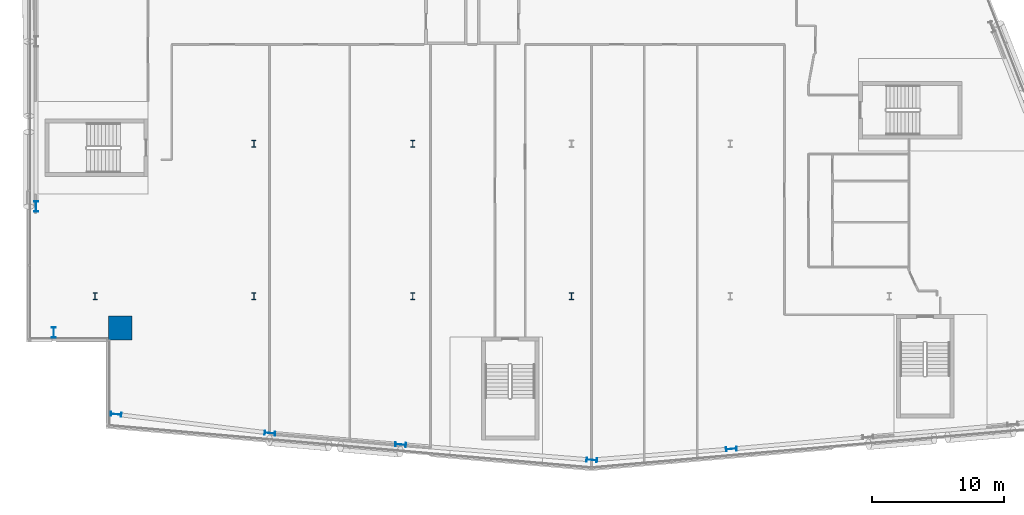
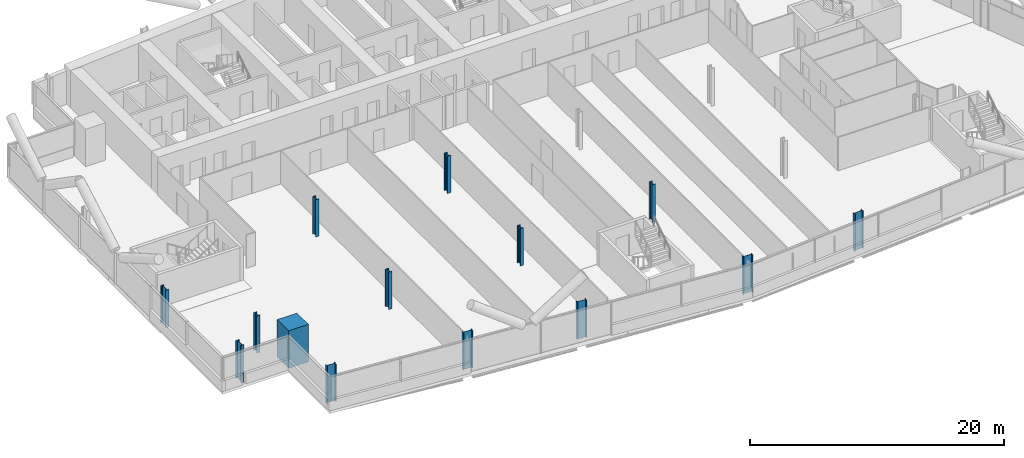
# One storey, part 1 of 26: 14 columns.
"""IFC4 building model written with IfcOpenShell, lengths in metres."""

from ifc_helpers import new_model, si_unit, direction, frame, origin, origin_2d, place, context, subcontext, project, spatial, rectangle, i_section, extrude, material, material_profile, profile_set, type_object, element, save


model = new_model("IFC4")

# Units and contexts
model_context = context("Model", 3, precision=1e-05, world=origin(), true_north=direction((0.0, 1.0)))
body_context = subcontext(model_context, "Body", "Model", "MODEL_VIEW")
ifc_project = project(units=[si_unit("LENGTHUNIT", "METRE"), si_unit("AREAUNIT", "SQUARE_METRE"), si_unit("VOLUMEUNIT", "CUBIC_METRE"), si_unit("PLANEANGLEUNIT", "RADIAN"), si_unit("MASSUNIT", "GRAM", prefix="KILO")], contexts=[model_context])

# Site, building, storey
site_placement = place(None, origin())
site = spatial("IfcSite", under=ifc_project, at=site_placement, CompositionType="ELEMENT")
building_placement = place(site_placement, origin())
building = spatial("IfcBuilding", under=site, at=building_placement, Name="Wharfspan Tower", CompositionType="ELEMENT")
storey_placement = place(building_placement, frame((0.0, 0.0, 125.5)))
storey = spatial("IfcBuildingStorey", under=building, at=storey_placement, Name="L29", CompositionType="ELEMENT", Elevation=125.5)

# Columns
ifc_material_1 = material(Name="Steel S355J2", Category="steel")
ifc_material_profile_1 = material_profile(ifc_material_1, i_section(OverallWidth=0.305908, OverallDepth=0.523926, WebThickness=0.020996, FlangeThickness=0.040039, FilletRadius=0.0271, at=origin_2d()))
ifc_profile_set_1 = profile_set([ifc_material_profile_1], Name="Steel S355J2")
column_type_1 = type_object("IfcColumnType", Name="Column HEM 500", PredefinedType="COLUMN", material=ifc_profile_set_1)
for number, where, z_axis, x_axis, name in (
    (1, (12.0, 11.5, 0.0), (0.0, 0.0, 1.0), (1.0, 0.0, 0.0), "Interior column I.1.1 L29"),
    (2, (24.0, 11.5, 0.0), (0.0, 0.0, 1.0), (1.0, 0.0, 0.0), "Interior column I.1.2 L29"),
    (3, (36.0, 11.5, 0.0), (0.0, 0.0, 1.0), (1.0, 0.0, 0.0), "Interior column I.1.3 L29"),
    (4, (48.0, 11.5, 0.0), (0.0, 0.0, 1.0), (1.0, 0.0, 0.0), "Interior column I.1.4 L29"),
    (5, (24.0, 23.0, 0.0), (0.0, 0.0, 1.0), (1.0, 0.0, 0.0), "Interior column I.2.1 L29"),
    (6, (36.0, 23.0, 0.0), (0.0, 0.0, 1.0), (1.0, 0.0, 0.0), "Interior column I.2.2 L29"),
):
    element("IfcColumn", number, at=place(storey_placement, frame(where, z_axis=z_axis, x_axis=x_axis)), inside=storey, type_object=column_type_1, Name=name, PredefinedType="COLUMN", context=body_context, shape_type="SweptSolid", body=[
        extrude(i_section(OverallWidth=0.305908, OverallDepth=0.523926, WebThickness=0.020996, FlangeThickness=0.040039, FilletRadius=0.0271, at=origin_2d()), origin(), (0.0, 0.0, 1.0), 3.600098),
    ])
ifc_material_profile_2 = material_profile(ifc_material_1, i_section(OverallWidth=0.302979, OverallDepth=0.813965, WebThickness=0.020996, FlangeThickness=0.040039, FilletRadius=0.030029, at=origin_2d()))
ifc_profile_set_2 = profile_set([ifc_material_profile_2], Name="Steel S355J2")
column_type_2 = type_object("IfcColumnType", Name="Column HEM 800", PredefinedType="COLUMN", material=ifc_profile_set_2)
for number, where, z_axis, x_axis, name in (
    (7, (13.590576, 2.569336, 0.0), (0.0, 0.0, 1.0), (-0.087156, -0.996198, 0.0), "Perimeter column PS1.1 L29"),
    (8, (25.213623, 1.148682, 0.0), (0.0, 0.0, 1.0), (-0.087156, -0.996198, 0.0), "Perimeter column PS1.2 L29"),
    (9, (35.089111, 0.284668, 0.0), (0.0, 0.0, 1.0), (-0.087156, -0.996198, 0.0), "Perimeter column PS1.3 L29"),
    (10, (49.53125, -0.881592, 0.0), (0.0, 0.0, 1.0), (-0.087156, -0.996198, 0.0), "Perimeter column PS1.4 L29"),
    (11, (60.077881, -0.050781, 0.0), (0.0, 0.0, 1.0), (0.087156, -0.996198, 0.0), "Perimeter column PS2.1 L29"),
    (12, (7.540039, 18.266602, 0.0), (0.0, 0.0, 1.0), (-1.0, 0.0, 0.0), "Perimeter column PW.2 L29"),
    (13, (8.884521, 8.742676, 0.0), (0.0, 0.0, 1.0), (-1.0, 0.0, 0.0), "Perimeter column PW.3 L29"),
):
    element("IfcColumn", number, at=place(storey_placement, frame(where, z_axis=z_axis, x_axis=x_axis)), inside=storey, type_object=column_type_2, Name=name, PredefinedType="COLUMN", context=body_context, shape_type="SweptSolid", body=[
        extrude(i_section(OverallWidth=0.302979, OverallDepth=0.813965, WebThickness=0.020996, FlangeThickness=0.040039, FilletRadius=0.030029, at=origin_2d()), origin(), (0.0, 0.0, 1.0), 3.600098),
    ])
ifc_material_2 = material(Name="Concrete C70/85", Category="concrete")
ifc_material_profile_3 = material_profile(ifc_material_2, rectangle(XDim=1.800049, YDim=1.800049, at=origin_2d()))
ifc_profile_set_3 = profile_set([ifc_material_profile_3], Name="Concrete C70/85")
column_type_3 = type_object("IfcColumnType", Name="Mega column 1800 C70/85", PredefinedType="COLUMN", material=ifc_profile_set_3)
column_placement = place(storey_placement, frame((13.899902, 9.100098, 0.0), z_axis=(0.0, 0.0, 1.0), x_axis=(1.0, 0.0, 0.0)))
element("IfcColumn", 14, at=column_placement, inside=storey, type_object=column_type_3, Name="Mega column MC1 L29", PredefinedType="COLUMN", context=body_context, shape_type="SweptSolid", body=[
    extrude(rectangle(XDim=1.800049, YDim=1.800049, at=origin_2d()), origin(), (0.0, 0.0, 1.0), 3.600098),
])

save(model, "model.ifc")
